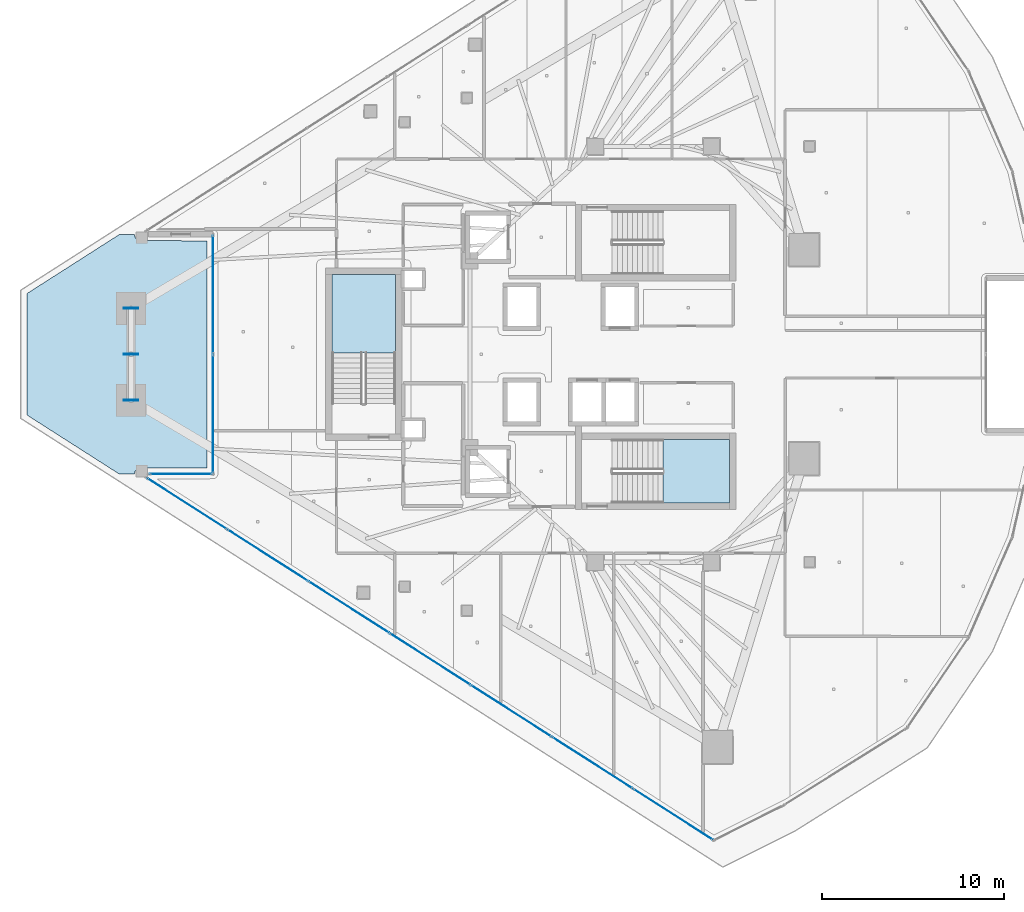
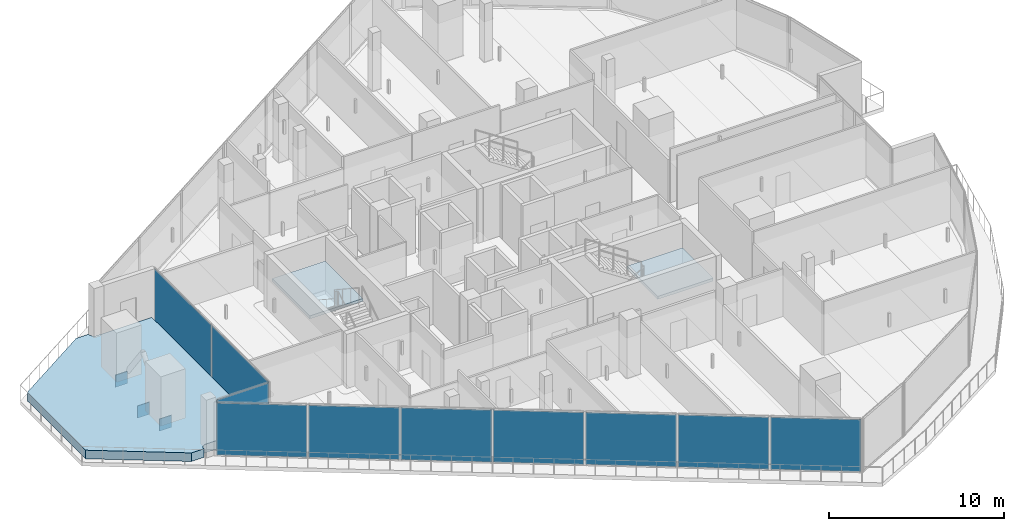
# One storey, part 24 of 36: 13 plates, 3 slabs, 5 elements without a shape of their own.
"""IFC4 building model written with IfcOpenShell, lengths in metres."""

import ifcopenshell
import ifcopenshell.guid

model = None  # the IFC model being written
_history = None  # IfcOwnerHistory: only IFC2X3 demands one
_inside = {}  # id of a spatial element -> (the spatial element, [elements in it])
_under = {}  # id of a project, library or spatial element -> (it, [spatial elements below it])
_declared = {}  # id of a project -> (the project, [libraries it declares])
_typed = {}  # id of a type object -> (the type object, [elements of that type])
_made_of = {}  # id of a material, layer set ... -> (it, [elements and type objects made of it])


def new_model(schema):
    """Start an empty IFC model of exactly this schema.

    Asked for "IFC4X3", IfcOpenShell would pick the latest addendum, in which some entities
    have other attributes; the version numbers below select the first issue.
    IFC2X3 requires an IfcOwnerHistory on every rooted entity: one is made here for all.
    """
    global model, _history
    if schema == "IFC4X3":
        model = ifcopenshell.file(schema_version=(4, 3, 0, 0))
    else:
        model = ifcopenshell.file(schema=schema)
    _inside.clear()
    _under.clear()
    _declared.clear()
    _typed.clear()
    _made_of.clear()
    _history = None
    if model.schema == "IFC2X3":
        org = make("IfcOrganization", Name="unknown")
        user = make(
            "IfcPersonAndOrganization",
            ThePerson=make("IfcPerson", FamilyName="unknown"),
            TheOrganization=org,
        )
        app = make(
            "IfcApplication",
            ApplicationDeveloper=org,
            Version="unknown",
            ApplicationFullName="unknown",
            ApplicationIdentifier="unknown",
        )
        _history = make(
            "IfcOwnerHistory",
            OwningUser=user,
            OwningApplication=app,
            ChangeAction="ADDED",
            CreationDate=0,
        )
    return model


def make(cls, **values):
    """One entity of the class cls with the attributes given. An attribute that is None is left unset."""
    return model.create_entity(
        cls, **{name: value for name, value in values.items() if value is not None}
    )


def rooted(cls, **values):
    """An entity with a GlobalId (a new one), such as an element, a storey or a relation."""
    return make(cls, GlobalId=ifcopenshell.guid.new(), OwnerHistory=_history, **values)


def si_unit(unit_type, name, prefix=None):
    """IfcSIUnit, for example si_unit("LENGTHUNIT", "METRE", prefix="MILLI")."""
    return make("IfcSIUnit", UnitType=unit_type, Prefix=prefix, Name=name)


def assignment(units):
    """IfcUnitAssignment: the units of a project."""
    return None if units is None else make("IfcUnitAssignment", Units=units)


def point(xyz):
    """IfcCartesianPoint."""
    return None if xyz is None else make("IfcCartesianPoint", Coordinates=xyz)


def direction(xyz):
    """IfcDirection."""
    return None if xyz is None else make("IfcDirection", DirectionRatios=xyz)


def frame(location, z_axis=None, x_axis=None):
    """IfcAxis2Placement3D, a coordinate frame: its origin and axes. An axis left out is left unset."""
    return make(
        "IfcAxis2Placement3D",
        Location=point(location),
        Axis=direction(z_axis),
        RefDirection=direction(x_axis),
    )


def frame_2d(location, x_axis=None):
    """IfcAxis2Placement2D, a coordinate frame in the plane: its origin and x axis."""
    return make(
        "IfcAxis2Placement2D", Location=point(location), RefDirection=direction(x_axis)
    )


def origin():
    """The frame at (0, 0, 0) with its axes left unset."""
    return frame((0.0, 0.0, 0.0))


def origin_2d():
    """The frame at (0, 0) in the plane with its x axis left unset."""
    return frame_2d((0.0, 0.0))


def place(relative_to, where):
    """IfcLocalPlacement: puts the frame where relative to a parent placement (None: the world)."""
    return make(
        "IfcLocalPlacement", PlacementRelTo=relative_to, RelativePlacement=where
    )


def context(
    kind, dimensions, precision=None, world=None, true_north=None, identifier=None
):
    """IfcGeometricRepresentationContext, for example the 3D "Model" context."""
    return make(
        "IfcGeometricRepresentationContext",
        ContextIdentifier=identifier,
        ContextType=kind,
        CoordinateSpaceDimension=dimensions,
        Precision=precision,
        WorldCoordinateSystem=world,
        TrueNorth=true_north,
    )


def subcontext(parent, identifier, kind, view, scale=None):
    """IfcGeometricRepresentationSubContext, for example "Body" below "Model"."""
    return make(
        "IfcGeometricRepresentationSubContext",
        ContextIdentifier=identifier,
        ContextType=kind,
        ParentContext=parent,
        TargetScale=scale,
        TargetView=view,
    )


def project(units=None, contexts=None):
    """IfcProject with its units and contexts."""
    return rooted(
        "IfcProject",
        Name="project",
        RepresentationContexts=contexts,
        UnitsInContext=assignment(units),
    )


def spatial(cls, under=None, at=None, **own):
    """A site, building, storey or space (cls), placed at a placement, below another one or the project."""
    s = rooted(cls, ObjectPlacement=at, **own)
    if under is not None:
        _under.setdefault(under.id(), (under, []))[1].append(s)
    return s


def polyline(points):
    """IfcPolyline through the points."""
    return make("IfcPolyline", Points=[point(p) for p in points])


def profile(cls, at=None, kind="AREA", **sizes):
    """A parametric profile (cls). Its sizes go by their IFC names, for example OverallWidth=200.0."""
    return make(cls, ProfileType=kind, Position=at, **sizes)


def rectangle(**sizes):
    """IfcRectangleProfileDef."""
    return profile("IfcRectangleProfileDef", **sizes)


def outline(outer, holes=None, kind="AREA"):
    """IfcArbitraryClosedProfileDef: a profile drawn as a closed curve; with holes, ...WithVoids."""
    if holes is None:
        return make("IfcArbitraryClosedProfileDef", ProfileType=kind, OuterCurve=outer)
    return make(
        "IfcArbitraryProfileDefWithVoids",
        ProfileType=kind,
        OuterCurve=outer,
        InnerCurves=holes,
    )


def extrude(swept, where, along, depth):
    """IfcExtrudedAreaSolid: the profile swept, set in the frame where, extruded along a direction by depth."""
    return make(
        "IfcExtrudedAreaSolid",
        SweptArea=swept,
        Position=where,
        ExtrudedDirection=direction(along),
        Depth=depth,
    )


def shape(context_of_items, identifier, shape_type, items):
    """IfcShapeRepresentation: the items that make up one representation, for example the "Body"."""
    return make(
        "IfcShapeRepresentation",
        ContextOfItems=context_of_items,
        RepresentationIdentifier=identifier,
        RepresentationType=shape_type,
        Items=items,
    )


def material(Name=None, Category=None):
    """IfcMaterial."""
    return make("IfcMaterial", Name=Name, Category=Category)


def layer(
    of_material, thickness, ventilated=None, Name=None, Category=None, Priority=None
):
    """IfcMaterialLayer: one layer of a wall or slab, of a material (None: an air gap)."""
    return make(
        "IfcMaterialLayer",
        Material=of_material,
        LayerThickness=thickness,
        IsVentilated=ventilated,
        Name=Name,
        Category=Category,
        Priority=Priority,
    )


def layer_set(layers, Name=None):
    """IfcMaterialLayerSet."""
    return make("IfcMaterialLayerSet", MaterialLayers=layers, LayerSetName=Name)


def made_of(thing, what):
    """Note that an element or type object is made of a material, layer set ...; save() writes the relation."""
    if what is not None:
        _made_of.setdefault(what.id(), (what, []))[1].append(thing)
    return thing


def type_object(cls, material=None, **own):
    """A type object (cls), such as IfcWallType, which elements share."""
    return made_of(rooted(cls, **own), material)


def element(
    cls,
    number,
    at=None,
    inside=None,
    cuts=None,
    type_object=None,
    material=None,
    context=None,
    identifier="Body",
    shape_type=None,
    held_by="IfcProductDefinitionShape",
    body=None,
    shapes=None,
    **own,
):
    """One element of the class cls, such as IfcWall. Its Tag is "e" and its number.

    at: its placement. inside: the storey or other place that contains it. cuts: it is an
    opening in that element (IfcRelVoidsElement). A single representation is given by context,
    identifier, shape_type and body (its items); several are given by shapes. held_by: the class
    of the entity that holds the representations. save() writes the other relations.
    """
    e = rooted(cls, Tag="e%d" % number, ObjectPlacement=at, **own)
    if body is not None:
        shapes = [shape(context, identifier, shape_type, body)]
    if shapes is not None:
        e.Representation = make(held_by, Representations=shapes)
    if inside is not None:
        _inside.setdefault(inside.id(), (inside, []))[1].append(e)
    if cuts is not None:
        rooted(
            "IfcRelVoidsElement", RelatingBuildingElement=cuts, RelatedOpeningElement=e
        )
    if type_object is not None:
        _typed.setdefault(type_object.id(), (type_object, []))[1].append(e)
    return made_of(e, material)


def aggregate(whole, parts):
    """IfcRelAggregates: a whole, such as a stair, and the parts it consists of."""
    return rooted("IfcRelAggregates", RelatingObject=whole, RelatedObjects=parts)


def save(model, path):
    """Write the relations noted so far, then the file.

    IfcRelAggregates (storeys below a building ...), IfcRelContainedInSpatialStructure (elements
    in a storey), IfcRelDefinesByType, IfcRelAssociatesMaterial and IfcRelDeclares: one each for
    every whole, place, type object, material and project.
    """
    for whole, parts in _under.values():
        aggregate(whole, parts)
    for where, things in _inside.values():
        rooted(
            "IfcRelContainedInSpatialStructure",
            RelatedElements=things,
            RelatingStructure=where,
        )
    for kind, things in _typed.values():
        rooted("IfcRelDefinesByType", RelatedObjects=things, RelatingType=kind)
    for what, things in _made_of.values():
        rooted("IfcRelAssociatesMaterial", RelatedObjects=things, RelatingMaterial=what)
    for by, libraries in _declared.values():
        rooted("IfcRelDeclares", RelatingContext=by, RelatedDefinitions=libraries)
    model.write(path)


model = new_model("IFC4")

# Units and contexts
model_context = context("Model", 3, precision=1e-05, world=origin(), true_north=direction((0.0, 1.0)))
body_context = subcontext(model_context, "Body", "Model", "MODEL_VIEW")
ifc_project = project(units=[si_unit("LENGTHUNIT", "METRE"), si_unit("AREAUNIT", "SQUARE_METRE"), si_unit("VOLUMEUNIT", "CUBIC_METRE"), si_unit("PLANEANGLEUNIT", "RADIAN"), si_unit("MASSUNIT", "GRAM", prefix="KILO")], contexts=[model_context])

# Site, building, storey
site_placement = place(None, origin())
site = spatial("IfcSite", under=ifc_project, at=site_placement, CompositionType="ELEMENT")
building_placement = place(site_placement, origin())
building = spatial("IfcBuilding", under=site, at=building_placement, Name="Qorvath Tower", CompositionType="ELEMENT")
storey_placement = place(building_placement, frame((0.0, 0.0, 229.35009765625)))
storey = spatial("IfcBuildingStorey", under=building, at=storey_placement, Name="L53", CompositionType="ELEMENT", Elevation=229.35009765625)

# Curtain wall, plates
ifc_material_1 = material(Name="Anodised aluminium and triple low-E glass", Category="aluminium")
ifc_layer_1 = layer(ifc_material_1, 0.179931640625)
ifc_layer_set_1 = layer_set([ifc_layer_1], Name="CW-SYS-5")
curtain_wall_type = type_object("IfcCurtainWallType", Name="CW-SYS-5", PredefinedType="NOTDEFINED", material=ifc_layer_set_1)
curtain_wall_1_placement = place(storey_placement, origin())
curtain_wall_1 = element("IfcCurtainWall", 1, at=curtain_wall_1_placement, inside=storey, type_object=curtain_wall_type, Name="Curtain Wall CW-5 CW-T-L53-2.1", PredefinedType="NOTDEFINED")
ifc_material_2 = material(Name="Low-E triple insulated glass", Category="glass")
ifc_layer_2 = layer(ifc_material_2, 0.031982421875)
ifc_layer_set_2 = layer_set([ifc_layer_2], Name="CWP-GLZ-32")
plate_type_1 = type_object("IfcPlateType", Name="CWP-GLZ-32", PredefinedType="CURTAIN_PANEL", material=ifc_layer_set_2)
plate_1_placement = place(storey_placement, frame((-44.64794921875, 3.283447265625, 0.06494140625), z_axis=(0.0, 0.0, 1.0), x_axis=(0.0, -1.0, 0.0)))
plate_1 = element("IfcPlate", 2, at=plate_1_placement, type_object=plate_type_1, Name="CW-5 panel 1.1", PredefinedType="CURTAIN_PANEL", context=body_context, shape_type="SweptSolid", body=[
    extrude(rectangle(XDim=6.491943359375, YDim=0.031982421875, at=origin_2d()), origin(), (0.0, 0.0, 1.0), 3.64990234375),
])
plate_2_placement = place(storey_placement, frame((-44.64794921875, -3.283447265625, 0.06494140625), z_axis=(0.0, 0.0, 1.0), x_axis=(0.0, -1.0, 0.0)))
plate_2 = element("IfcPlate", 3, at=plate_2_placement, type_object=plate_type_1, Name="CW-5 panel 2.1", PredefinedType="CURTAIN_PANEL", context=body_context, shape_type="SweptSolid", body=[
    extrude(rectangle(XDim=6.491943359375, YDim=0.031982421875, at=origin_2d()), origin(), (0.0, 0.0, 1.0), 3.64990234375),
])
aggregate(curtain_wall_1, [plate_1, plate_2])

# Curtain wall, plate
curtain_wall_2_placement = place(storey_placement, origin())
curtain_wall_2 = element("IfcCurtainWall", 4, at=curtain_wall_2_placement, inside=storey, type_object=curtain_wall_type, Name="Curtain Wall CW-5 CW-T-L53-3.1", PredefinedType="NOTDEFINED")
plate_3_placement = place(storey_placement, frame((-46.42822265625, -6.6044921875, 0.06494140625), z_axis=(0.0, 0.0, 1.0), x_axis=(-1.0, 0.0, 0.0)))
plate_3 = element("IfcPlate", 5, at=plate_3_placement, type_object=plate_type_1, Name="CW-5 panel 1.1", PredefinedType="CURTAIN_PANEL", context=body_context, shape_type="SweptSolid", body=[
    extrude(rectangle(XDim=3.41064453125, YDim=0.031982421875, at=origin_2d()), origin(), (0.0, 0.0, 1.0), 3.64990234375),
])
aggregate(curtain_wall_2, [plate_3])

# Curtain wall, plates
curtain_wall_3_placement = place(storey_placement, origin())
curtain_wall_3 = element("IfcCurtainWall", 6, at=curtain_wall_3_placement, inside=storey, type_object=curtain_wall_type, Name="Curtain Wall CW-5 CW-T-L53-4.1", PredefinedType="NOTDEFINED")
plate_4_placement = place(storey_placement, frame((-46.088134765625, -8.23193359375, 0.06494140625), z_axis=(0.0, 0.0, 1.0), x_axis=(0.84260674155, -0.538529366974, 0.0)))
plate_4 = element("IfcPlate", 7, at=plate_4_placement, type_object=plate_type_1, Name="CW-5 panel 1.1", PredefinedType="CURTAIN_PANEL", context=body_context, shape_type="SweptSolid", body=[
    extrude(rectangle(XDim=5.187744140625, YDim=0.031982421875, at=origin_2d()), origin(), (0.0, 0.0, 1.0), 3.64990234375),
])
plate_5_placement = place(storey_placement, frame((-41.637939453125, -11.076171875, 0.06494140625), z_axis=(0.0, 0.0, 1.0), x_axis=(0.84260674155, -0.538529366974, 0.0)))
plate_5 = element("IfcPlate", 8, at=plate_5_placement, type_object=plate_type_1, Name="CW-5 panel 2.1", PredefinedType="CURTAIN_PANEL", context=body_context, shape_type="SweptSolid", body=[
    extrude(rectangle(XDim=5.22509765625, YDim=0.031982421875, at=origin_2d()), origin(), (0.0, 0.0, 1.0), 3.64990234375),
])
plate_6_placement = place(storey_placement, frame((-37.171875, -13.930419921875, 0.06494140625), z_axis=(0.0, 0.0, 1.0), x_axis=(0.84260674155, -0.538529366974, 0.0)))
plate_6 = element("IfcPlate", 9, at=plate_6_placement, type_object=plate_type_1, Name="CW-5 panel 3.1", PredefinedType="CURTAIN_PANEL", context=body_context, shape_type="SweptSolid", body=[
    extrude(rectangle(XDim=5.22509765625, YDim=0.031982421875, at=origin_2d()), origin(), (0.0, 0.0, 1.0), 3.64990234375),
])
plate_7_placement = place(storey_placement, frame((-32.7060546875, -16.784912109375, 0.06494140625), z_axis=(0.0, 0.0, 1.0), x_axis=(0.84260674155, -0.538529366974, 0.0)))
plate_7 = element("IfcPlate", 10, at=plate_7_placement, type_object=plate_type_1, Name="CW-5 panel 4.1", PredefinedType="CURTAIN_PANEL", context=body_context, shape_type="SweptSolid", body=[
    extrude(rectangle(XDim=5.22509765625, YDim=0.031982421875, at=origin_2d()), origin(), (0.0, 0.0, 1.0), 3.64990234375),
])
plate_8_placement = place(storey_placement, frame((-28.239990234375, -19.63916015625, 0.06494140625), z_axis=(0.0, 0.0, 1.0), x_axis=(0.84260674155, -0.538529366974, 0.0)))
plate_8 = element("IfcPlate", 11, at=plate_8_placement, type_object=plate_type_1, Name="CW-5 panel 5.1", PredefinedType="CURTAIN_PANEL", context=body_context, shape_type="SweptSolid", body=[
    extrude(rectangle(XDim=5.22509765625, YDim=0.031982421875, at=origin_2d()), origin(), (0.0, 0.0, 1.0), 3.64990234375),
])
plate_9_placement = place(storey_placement, frame((-23.77392578125, -22.493408203125, 0.06494140625), z_axis=(0.0, 0.0, 1.0), x_axis=(0.84260674155, -0.538529366974, 0.0)))
plate_9 = element("IfcPlate", 12, at=plate_9_placement, type_object=plate_type_1, Name="CW-5 panel 6.1", PredefinedType="CURTAIN_PANEL", context=body_context, shape_type="SweptSolid", body=[
    extrude(rectangle(XDim=5.22509765625, YDim=0.031982421875, at=origin_2d()), origin(), (0.0, 0.0, 1.0), 3.64990234375),
])
plate_10_placement = place(storey_placement, frame((-19.32373046875, -25.337646484375, 0.06494140625), z_axis=(0.0, 0.0, 1.0), x_axis=(0.84260674155, -0.538529366974, 0.0)))
plate_10 = element("IfcPlate", 13, at=plate_10_placement, type_object=plate_type_1, Name="CW-5 panel 7.1", PredefinedType="CURTAIN_PANEL", context=body_context, shape_type="SweptSolid", body=[
    extrude(rectangle(XDim=5.187744140625, YDim=0.031982421875, at=origin_2d()), origin(), (0.0, 0.0, 1.0), 3.64990234375),
])
aggregate(curtain_wall_3, [plate_4, plate_5, plate_6, plate_7, plate_8, plate_9, plate_10])

# Plates
ifc_material_3 = material(Name="Steel ASTM A572 Grade 50", Category="steel")
ifc_layer_3 = layer(ifc_material_3, 0.054931640625)
ifc_layer_set_3 = layer_set([ifc_layer_3], Name="PL-MBN1")
plate_type_2 = type_object("IfcPlateType", Name="PL-MBN1", PredefinedType="USERDEFINED", material=ifc_layer_set_3)
for number, where, z_axis, x_axis, name in (
    (14, (-49.171875, 0.0, -1.045166015625), (0.0, 0.0, 1.0), (1.0, 0.0, 0.0), "Brace Strut End Gusset Plate NDBG-145"),
    (15, (-49.171875, 2.52783203125, -0.425048828125), (0.0, 0.0, 1.0), (1.0, 0.0, 0.0), "Brace Strut End Gusset Plate NDBG-146"),
    (16, (-49.171875, -2.52783203125, -0.425048828125), (0.0, 0.0, 1.0), (1.0, 0.0, 0.0), "Brace Strut End Gusset Plate NDBG-148"),
):
    element("IfcPlate", number, at=place(storey_placement, frame(where, z_axis=z_axis, x_axis=x_axis)), inside=storey, type_object=plate_type_2, Name=name, ObjectType="GUSSET", PredefinedType="USERDEFINED", context=body_context, shape_type="SweptSolid", body=[
        extrude(rectangle(XDim=0.800048828125, YDim=0.054931640625, at=origin_2d()), origin(), (0.0, 0.0, 1.0), 0.85009765625),
    ])

# Stair, slab
ifc_material_4 = material(Name="Concrete C50/60", Category="concrete")
stair_type = type_object("IfcStairType", Name="ST-H405", PredefinedType="HALF_TURN_STAIR", material=ifc_material_4)
stair_1_placement = place(storey_placement, origin())
stair_1 = element("IfcStair", 17, at=stair_1_placement, inside=storey, type_object=stair_type, Name="L53 Tower Exit Stair 2", PredefinedType="HALF_TURN_STAIR")
ifc_material_5 = material(Name="Concrete C50/60", Category="concrete")
ifc_layer_4 = layer(ifc_material_5, 0.199951171875)
ifc_layer_set_4 = layer_set([ifc_layer_4], Name="SL-LND-200")
slab_type_1 = type_object("IfcSlabType", Name="SL-LND-200", PredefinedType="LANDING", material=ifc_layer_set_4)
slab_1_placement = place(storey_placement, frame((0.0, 0.0, 1.824951171875)))
slab_1 = element("IfcSlab", 18, at=slab_1_placement, type_object=slab_type_1, Name="TS2 landing 1", PredefinedType="LANDING", context=body_context, shape_type="SweptSolid", body=[
    extrude(outline(polyline([(-19.8701171875, -8.199951171875), (-16.199951171875, -8.199951171875), (-16.199951171875, -4.68994140625), (-19.8701171875, -4.68994140625), (-19.8701171875, -8.199951171875)])), origin(), (0.0, 0.0, 1.0), 0.199951171875),
])
aggregate(stair_1, [slab_1])

stair_2_placement = place(storey_placement, origin())
stair_2 = element("IfcStair", 19, at=stair_2_placement, inside=storey, type_object=stair_type, Name="L53 Tower Exit Stair 3", PredefinedType="HALF_TURN_STAIR")
slab_2_placement = place(storey_placement, frame((0.0, 0.0, 1.824951171875)))
slab_2 = element("IfcSlab", 20, at=slab_2_placement, type_object=slab_type_1, Name="TS3 landing 1", PredefinedType="LANDING", context=body_context, shape_type="SweptSolid", body=[
    extrude(outline(polyline([(-34.60009765625, 0.080078125), (-34.60009765625, 4.39990234375), (-38.110107421875, 4.39990234375), (-38.110107421875, 0.080078125), (-34.60009765625, 0.080078125)])), origin(), (0.0, 0.0, 1.0), 0.199951171875),
])
aggregate(stair_2, [slab_2])

# Slab
ifc_material_6 = material(Name="Precast concrete C45/55", Category="concrete")
ifc_layer_5 = layer(ifc_material_6, 0.60009765625)
ifc_layer_set_5 = layer_set([ifc_layer_5], Name="SL-PLN-600")
slab_type_2 = type_object("IfcSlabType", Name="SL-PLN-600", PredefinedType="USERDEFINED", material=ifc_layer_set_5)
slab_3_placement = place(storey_placement, origin())
element("IfcSlab", 21, at=slab_3_placement, inside=storey, type_object=slab_type_2, Name="Sky Garden Planted Bed PLANTER L53", ObjectType="PLANTER", PredefinedType="USERDEFINED", context=body_context, shape_type="SweptSolid", body=[
    extrude(outline(polyline([(-49.8095703125, 6.6044921875), (-54.91650390625, 3.340576171875), (-54.91650390625, -3.340576171875), (-49.8095703125, -6.6044921875), (-48.98388671875, -6.6044921875), (-48.978271484375, -6.5400390625), (-48.958740234375, -6.4736328125), (-48.9267578125, -6.412353515625), (-48.88330078125, -6.358642578125), (-48.830078125, -6.314453125), (-48.80029296875, -6.29638671875), (-48.736572265625, -6.269775390625), (-48.668701171875, -6.256103515625), (-44.998046875, -6.25439453125), (-44.998046875, 6.25439453125), (-48.668701171875, 6.256103515625), (-48.736572265625, 6.269775390625), (-48.80029296875, 6.29638671875), (-48.830078125, 6.314453125), (-48.88330078125, 6.358642578125), (-48.9267578125, 6.412353515625), (-48.958740234375, 6.4736328125), (-48.978271484375, 6.5400390625), (-48.98388671875, 6.6044921875), (-49.8095703125, 6.6044921875)])), origin(), (0.0, 0.0, 1.0), 0.599853515625),
])

save(model, "model.ifc")
